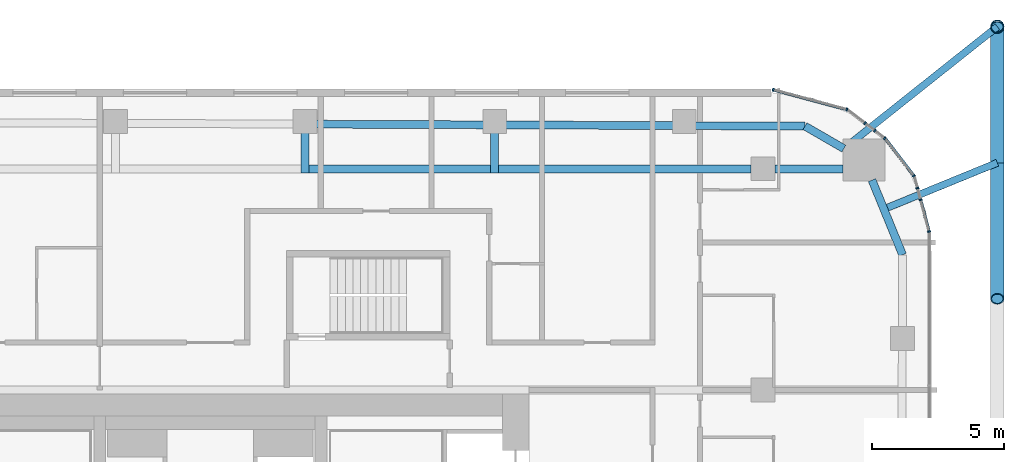
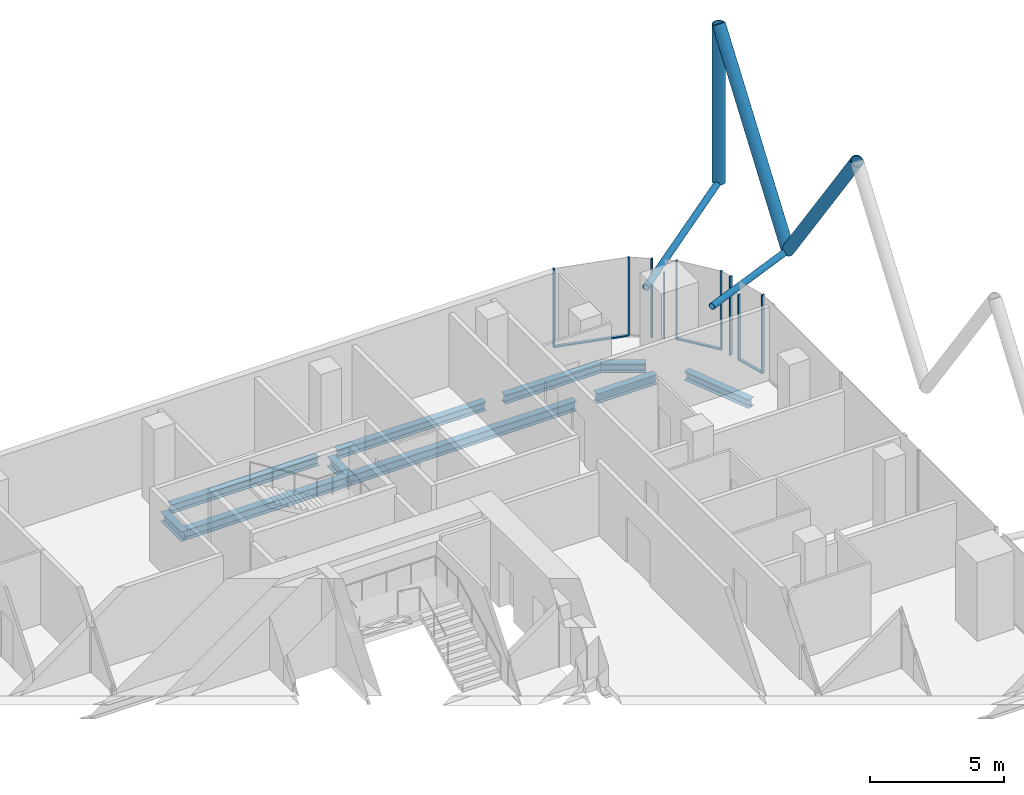
# One storey, part 14 of 36: 17 members, 10 beams, 8 elements without a shape of their own.
"""IFC4 building model written with IfcOpenShell, lengths in metres."""

from ifc_helpers import new_model, si_unit, direction, frame, origin, origin_2d, place, context, subcontext, project, spatial, rectangle, hollow_circle, i_section, extrude, material, layer, layer_set, material_profile, profile_set, type_object, element, aggregate, save


model = new_model("IFC4")

# Units and contexts
model_context = context("Model", 3, precision=1e-05, world=origin(), true_north=direction((0.0, 1.0)))
body_context = subcontext(model_context, "Body", "Model", "MODEL_VIEW")
ifc_project = project(units=[si_unit("LENGTHUNIT", "METRE"), si_unit("AREAUNIT", "SQUARE_METRE"), si_unit("VOLUMEUNIT", "CUBIC_METRE"), si_unit("PLANEANGLEUNIT", "RADIAN"), si_unit("MASSUNIT", "GRAM", prefix="KILO")], contexts=[model_context])

# Site, building, storey
site_placement = place(None, origin())
site = spatial("IfcSite", under=ifc_project, at=site_placement, CompositionType="ELEMENT")
building_placement = place(site_placement, origin())
building = spatial("IfcBuilding", under=site, at=building_placement, Name="Marenta Gate Hotel Tower", CompositionType="ELEMENT")
storey_placement = place(building_placement, frame((0.0, 0.0, 130.10009765625)))
storey = spatial("IfcBuildingStorey", under=building, at=storey_placement, Name="L29", CompositionType="ELEMENT", Elevation=130.10009765625)

# Members
ifc_material_1 = material(Name="Steel S355J2W", Category="steel")
ifc_material_profile_1 = material_profile(ifc_material_1, hollow_circle(Radius=0.25390625, WallThickness=0.02490234375, at=origin_2d()), Name="CHS 508x25")
ifc_profile_set_1 = profile_set([ifc_material_profile_1], Name="Steel S355J2W")
member_type_1 = type_object("IfcMemberType", Name="Diagrid corner post Z2 CHS 508x25", PredefinedType="POST", material=ifc_profile_set_1)
member_1_placement = place(storey_placement, frame((29.89990234375, 30.60009765625, 3.139892578125), z_axis=(0.0, 0.0, 1.0), x_axis=(1.0, 0.0, 0.0)))
element("IfcMember", 1, at=member_1_placement, inside=storey, type_object=member_type_1, Name="L29-DR-1", PredefinedType="POST", context=body_context, shape_type="SweptSolid", body=[
    extrude(hollow_circle(Radius=0.25390625, WallThickness=0.02490234375, at=origin_2d()), origin(), (0.0, 0.0, 1.0), 7.199951171875),
])
ifc_material_2 = material(Name="Steel S355J2W", Category="steel")
ifc_material_profile_2 = material_profile(ifc_material_2, hollow_circle(Radius=0.25390625, WallThickness=0.0400390625, at=origin_2d()), Name="CHS 508x40")
ifc_profile_set_2 = profile_set([ifc_material_profile_2], Name="Steel S355J2W")
member_type_2 = type_object("IfcMemberType", Name="Diagrid diagonal Z2 CHS 508x40", PredefinedType="BRACE", material=ifc_profile_set_2)
member_2_placement = place(storey_placement, frame((29.89990234375, 25.429931640625, 3.139892578125), z_axis=(0.0, 0.583279014058, 0.812271870595), x_axis=(-1.0, 0.0, 0.0)))
element("IfcMember", 2, at=member_2_placement, inside=storey, type_object=member_type_2, Name="L29-DG-1", PredefinedType="BRACE", context=body_context, shape_type="SweptSolid", body=[
    extrude(hollow_circle(Radius=0.25390625, WallThickness=0.0400390625, at=origin_2d()), origin(), (0.0, 0.0, 1.0), 8.864013671875),
])
member_3_placement = place(storey_placement, frame((29.89990234375, 25.429931640625, 3.139892578125), z_axis=(0.0, -0.583260841117, 0.812284919975), x_axis=(1.0, 0.0, 0.0)))
element("IfcMember", 3, at=member_3_placement, inside=storey, type_object=member_type_2, Name="L29-DG-2", PredefinedType="BRACE", context=body_context, shape_type="SweptSolid", body=[
    extrude(hollow_circle(Radius=0.25390625, WallThickness=0.0400390625, at=origin_2d()), origin(), (0.0, 0.0, 1.0), 8.86376953125),
])

# Beams
ifc_material_3 = material(Name="Steel S355", Category="steel")
ifc_material_profile_3 = material_profile(ifc_material_3, i_section(OverallWidth=0.300048828125, OverallDepth=0.39990234375, WebThickness=0.013427734375, FlangeThickness=0.02392578125, FilletRadius=0.027099609375, at=origin_2d()), Name="HEB 400")
ifc_profile_set_3 = profile_set([ifc_material_profile_3], Name="Steel S355")
beam_type_1 = type_object("IfcBeamType", Name="Edge beam HEB 400", PredefinedType="SPANDREL", material=ifc_profile_set_3)
beam_1_placement = place(storey_placement, frame((4.011474609375, 26.89697265625, -0.460205078125), z_axis=(0.999991780119, -0.004054589324, 0.0), x_axis=(0.004054589324, 0.999991780119, 0.0)))
element("IfcBeam", 4, at=beam_1_placement, inside=storey, type_object=beam_type_1, Name="L29-EB-17", PredefinedType="SPANDREL", context=body_context, shape_type="SweptSolid", body=[
    extrude(i_section(OverallWidth=0.300048828125, OverallDepth=0.39990234375, WebThickness=0.013427734375, FlangeThickness=0.02392578125, FilletRadius=0.027099609375, at=origin_2d()), origin(), (0.0, 0.0, 1.0), 6.382568359375),
])
beam_2_placement = place(storey_placement, frame((11.214111328125, 26.86767578125, -0.460205078125), z_axis=(0.999991780748, -0.00405443424, 0.0), x_axis=(0.00405443424, 0.999991780748, 0.0)))
element("IfcBeam", 5, at=beam_2_placement, inside=storey, type_object=beam_type_1, Name="L29-EB-18", PredefinedType="SPANDREL", context=body_context, shape_type="SweptSolid", body=[
    extrude(i_section(OverallWidth=0.300048828125, OverallDepth=0.39990234375, WebThickness=0.013427734375, FlangeThickness=0.02392578125, FilletRadius=0.027099609375, at=origin_2d()), origin(), (0.0, 0.0, 1.0), 6.3828125),
])
beam_3_placement = place(storey_placement, frame((18.4169921875, 26.83837890625, -0.460205078125), z_axis=(0.999991621459, -0.004093532953, 0.0), x_axis=(0.004093532953, 0.999991621459, 0.0)))
element("IfcBeam", 6, at=beam_3_placement, inside=storey, type_object=beam_type_1, Name="L29-EB-19", PredefinedType="SPANDREL", context=body_context, shape_type="SweptSolid", body=[
    extrude(i_section(OverallWidth=0.300048828125, OverallDepth=0.39990234375, WebThickness=0.013427734375, FlangeThickness=0.02392578125, FilletRadius=0.027099609375, at=origin_2d()), origin(), (0.0, 0.0, 1.0), 4.1748046875),
])
beam_4_placement = place(storey_placement, frame((22.591796875, 26.8212890625, -0.460205078125), z_axis=(0.866016478054, -0.500015459501, 0.0), x_axis=(0.500015459501, 0.866016478054, 0.0)))
element("IfcBeam", 7, at=beam_4_placement, inside=storey, type_object=beam_type_1, Name="L29-EB-20", PredefinedType="SPANDREL", context=body_context, shape_type="SweptSolid", body=[
    extrude(i_section(OverallWidth=0.300048828125, OverallDepth=0.39990234375, WebThickness=0.013427734375, FlangeThickness=0.02392578125, FilletRadius=0.027099609375, at=origin_2d()), origin(), (0.0, 0.0, 1.0), 1.70703125),
])
beam_5_placement = place(storey_placement, frame((25.138916015625, 24.7724609375, -0.460205078125), z_axis=(0.378682450416, -0.925526661824, 0.0), x_axis=(0.925526661824, 0.378682450416, 0.0)))
element("IfcBeam", 8, at=beam_5_placement, inside=storey, type_object=beam_type_1, Name="L29-EB-21", PredefinedType="SPANDREL", context=body_context, shape_type="SweptSolid", body=[
    extrude(i_section(OverallWidth=0.300048828125, OverallDepth=0.39990234375, WebThickness=0.013427734375, FlangeThickness=0.02392578125, FilletRadius=0.027099609375, at=origin_2d()), origin(), (0.0, 0.0, 1.0), 3.066162109375),
])

# Members
ifc_material_4 = material(Name="Steel S355J2W", Category="steel")
ifc_material_profile_4 = material_profile(ifc_material_4, hollow_circle(Radius=0.136474609375, WallThickness=0.012451171875, at=origin_2d()), Name="CHS 273x12.5")
ifc_profile_set_4 = profile_set([ifc_material_profile_4], Name="Steel S355J2W")
member_type_3 = type_object("IfcMemberType", Name="Floor tie CHS 273x12.5", PredefinedType="STRUT", material=ifc_profile_set_4)
member_4_placement = place(storey_placement, frame((29.89990234375, 30.60009765625, 3.139892578125), z_axis=(-0.782942525187, -0.622094046149, 0.0), x_axis=(0.622094046149, -0.782942525187, 0.0)))
element("IfcMember", 9, at=member_4_placement, inside=storey, type_object=member_type_3, Name="L29-DR-7", PredefinedType="STRUT", context=body_context, shape_type="SweptSolid", body=[
    extrude(hollow_circle(Radius=0.136474609375, WallThickness=0.012451171875, at=origin_2d()), origin(), (0.0, 0.0, 1.0), 7.43896484375),
])
member_5_placement = place(storey_placement, frame((29.89990234375, 25.429931640625, 3.139892578125), z_axis=(-0.925554485394, -0.378614440516, 0.0), x_axis=(0.378614440516, -0.925554485394, 0.0)))
element("IfcMember", 10, at=member_5_placement, inside=storey, type_object=member_type_3, Name="L29-DR-8", PredefinedType="STRUT", context=body_context, shape_type="SweptSolid", body=[
    extrude(hollow_circle(Radius=0.136474609375, WallThickness=0.012451171875, at=origin_2d()), origin(), (0.0, 0.0, 1.0), 4.6484375),
])

# Beams
ifc_material_5 = material(Name="Steel S355", Category="steel")
ifc_material_profile_5 = material_profile(ifc_material_5, i_section(OverallWidth=0.300048828125, OverallDepth=0.449951171875, WebThickness=0.013916015625, FlangeThickness=0.02587890625, FilletRadius=0.027099609375, at=origin_2d()), Name="HEB 450")
ifc_profile_set_5 = profile_set([ifc_material_profile_5], Name="Steel S355")
beam_type_2 = type_object("IfcBeamType", Name="Girder HEB 450", PredefinedType="BEAM", material=ifc_profile_set_5)
beam_6_placement = place(storey_placement, frame((3.75146484375, 25.199951171875, -0.485107421875), z_axis=(1.0, 0.0, 0.0), x_axis=(0.0, 1.0, 0.0)))
element("IfcBeam", 11, at=beam_6_placement, inside=storey, type_object=beam_type_2, Name="L29-GD-33", PredefinedType="BEAM", context=body_context, shape_type="SweptSolid", body=[
    extrude(i_section(OverallWidth=0.300048828125, OverallDepth=0.449951171875, WebThickness=0.013916015625, FlangeThickness=0.02587890625, FilletRadius=0.027099609375, at=origin_2d()), origin(), (0.0, 0.0, 1.0), 6.902587890625),
])
beam_7_placement = place(storey_placement, frame((10.9541015625, 25.199951171875, -0.485107421875), z_axis=(1.0, 0.0, 0.0), x_axis=(0.0, 1.0, 0.0)))
element("IfcBeam", 12, at=beam_7_placement, inside=storey, type_object=beam_type_2, Name="L29-GD-34", PredefinedType="BEAM", context=body_context, shape_type="SweptSolid", body=[
    extrude(i_section(OverallWidth=0.300048828125, OverallDepth=0.449951171875, WebThickness=0.013916015625, FlangeThickness=0.02587890625, FilletRadius=0.027099609375, at=origin_2d()), origin(), (0.0, 0.0, 1.0), 9.595947265625),
])
beam_8_placement = place(storey_placement, frame((21.449951171875, 25.199951171875, -0.485107421875), z_axis=(1.0, 0.0, 0.0), x_axis=(0.0, 1.0, 0.0)))
element("IfcBeam", 13, at=beam_8_placement, inside=storey, type_object=beam_type_2, Name="L29-GD-35", PredefinedType="BEAM", context=body_context, shape_type="SweptSolid", body=[
    extrude(i_section(OverallWidth=0.300048828125, OverallDepth=0.449951171875, WebThickness=0.013916015625, FlangeThickness=0.02587890625, FilletRadius=0.027099609375, at=origin_2d()), origin(), (0.0, 0.0, 1.0), 2.58544921875),
])
ifc_material_6 = material(Name="Steel S355", Category="steel")
ifc_material_profile_6 = material_profile(ifc_material_6, i_section(OverallWidth=0.300048828125, OverallDepth=0.449951171875, WebThickness=0.013916015625, FlangeThickness=0.02587890625, FilletRadius=0.027099609375, at=origin_2d()), Name="HEB 450")
ifc_profile_set_6 = profile_set([ifc_material_profile_6], Name="Steel S355")
beam_type_3 = type_object("IfcBeamType", Name="Girder bracket HEB 450", PredefinedType="BEAM", material=ifc_profile_set_6)
for number, where, z_axis, x_axis, name in (
    (14, (3.601318359375, 25.050048828125, -0.485107421875), (0.0, 1.0, 0.0), (-1.0, 0.0, 0.0), "L29-GS-3"),
    (15, (10.80419921875, 25.050048828125, -0.485107421875), (0.0, 1.0, 0.0), (-1.0, 0.0, 0.0), "L29-GS-4"),
):
    element("IfcBeam", number, at=place(storey_placement, frame(where, z_axis=z_axis, x_axis=x_axis)), inside=storey, type_object=beam_type_3, Name=name, PredefinedType="BEAM", context=body_context, shape_type="SweptSolid", body=[
        extrude(i_section(OverallWidth=0.300048828125, OverallDepth=0.449951171875, WebThickness=0.013916015625, FlangeThickness=0.02587890625, FilletRadius=0.027099609375, at=origin_2d()), origin(), (0.0, 0.0, 1.0), 1.5400390625),
    ])

# Curtain wall, member
ifc_material_7 = material(Name="Tinted insulated glass in bronze anodised frame", Category="glass")
ifc_layer = layer(ifc_material_7, 0.1201171875)
ifc_layer_set = layer_set([ifc_layer], Name="Tinted insulated glass in bronze anodised frame")
curtain_wall_type = type_object("IfcCurtainWallType", Name="Tower unitised curtain wall CW1", PredefinedType="NOTDEFINED", material=ifc_layer_set)
curtain_wall_1_placement = place(storey_placement, origin())
curtain_wall_1 = element("IfcCurtainWall", 16, at=curtain_wall_1_placement, inside=storey, type_object=curtain_wall_type, Name="CW1 run G36", PredefinedType="NOTDEFINED")
ifc_material_8 = material(Name="Bronze anodised aluminium", Category="aluminium")
ifc_material_profile_7 = material_profile(ifc_material_8, rectangle(XDim=0.1201171875, YDim=0.06005859375, at=origin_2d()), Name="Mullion CW1 60x120 bronze anodised aluminium")
ifc_profile_set_7 = profile_set([ifc_material_profile_7], Name="Bronze anodised aluminium")
member_type_4 = type_object("IfcMemberType", Name="Mullion CW1 60x120 bronze anodised aluminium", PredefinedType="MULLION", material=ifc_profile_set_7)
member_6_placement = place(storey_placement, frame((27.30615234375, 22.82080078125, 0.0), z_axis=(0.0, 0.0, 1.0), x_axis=(-0.965926558196, -0.258816313572, 0.0)))
member_6 = element("IfcMember", 17, at=member_6_placement, type_object=member_type_4, Name="CW1 mullion 1", PredefinedType="MULLION", context=body_context, shape_type="SweptSolid", body=[
    extrude(rectangle(XDim=0.1201171875, YDim=0.06005859375, at=origin_2d()), origin(), (0.0, 0.0, 1.0), 3.599853515625),
])

curtain_wall_2_placement = place(storey_placement, origin())
curtain_wall_2 = element("IfcCurtainWall", 18, at=curtain_wall_2_placement, inside=storey, type_object=curtain_wall_type, Name="CW1 run G37", PredefinedType="NOTDEFINED")
member_7_placement = place(storey_placement, frame((26.983642578125, 24.0244140625, 0.0), z_axis=(0.0, 0.0, 1.0), x_axis=(-0.965921659399, -0.258834595648, 0.0)))
member_7 = element("IfcMember", 19, at=member_7_placement, type_object=member_type_4, Name="CW1 mullion 1", PredefinedType="MULLION", context=body_context, shape_type="SweptSolid", body=[
    extrude(rectangle(XDim=0.1201171875, YDim=0.06005859375, at=origin_2d()), origin(), (0.0, 0.0, 1.0), 3.00048828125),
])
aggregate(curtain_wall_2, [member_7])

curtain_wall_3_placement = place(storey_placement, origin())
curtain_wall_3 = element("IfcCurtainWall", 20, at=curtain_wall_3_placement, inside=storey, type_object=curtain_wall_type, Name="CW1 run G38", PredefinedType="NOTDEFINED")
member_8_placement = place(storey_placement, frame((26.865478515625, 24.465576171875, 0.0), z_axis=(0.0, 0.0, 1.0), x_axis=(-0.965923527755, -0.258827623196, 0.0)))
member_8 = element("IfcMember", 21, at=member_8_placement, type_object=member_type_4, Name="CW1 mullion 1", PredefinedType="MULLION", context=body_context, shape_type="SweptSolid", body=[
    extrude(rectangle(XDim=0.1201171875, YDim=0.06005859375, at=origin_2d()), origin(), (0.0, 0.0, 1.0), 3.599853515625),
])
aggregate(curtain_wall_3, [member_8])

curtain_wall_4_placement = place(storey_placement, origin())
curtain_wall_4 = element("IfcCurtainWall", 22, at=curtain_wall_4_placement, inside=storey, type_object=curtain_wall_type, Name="CW1 run G39", PredefinedType="NOTDEFINED")
member_9_placement = place(storey_placement, frame((26.727783203125, 24.93505859375, 0.0), z_axis=(0.0, 0.0, 1.0), x_axis=(-0.793326722289, -0.608796116694, 0.0)))
member_9 = element("IfcMember", 23, at=member_9_placement, type_object=member_type_4, Name="CW1 mullion 1", PredefinedType="MULLION", context=body_context, shape_type="SweptSolid", body=[
    extrude(rectangle(XDim=0.1201171875, YDim=0.06005859375, at=origin_2d()), origin(), (0.0, 0.0, 1.0), 3.599853515625),
])

curtain_wall_5_placement = place(storey_placement, origin())
curtain_wall_5 = element("IfcCurtainWall", 24, at=curtain_wall_5_placement, inside=storey, type_object=curtain_wall_type, Name="CW1 run G40", PredefinedType="NOTDEFINED")
member_10_placement = place(storey_placement, frame((25.62158203125, 26.36376953125, 0.0), z_axis=(0.0, 0.0, 1.0), x_axis=(-0.608778467767, -0.793340265701, 0.0)))
member_10 = element("IfcMember", 25, at=member_10_placement, type_object=member_type_4, Name="CW1 mullion 1", PredefinedType="MULLION", context=body_context, shape_type="SweptSolid", body=[
    extrude(rectangle(XDim=0.1201171875, YDim=0.06005859375, at=origin_2d()), origin(), (0.0, 0.0, 1.0), 3.599853515625),
])
aggregate(curtain_wall_5, [member_10])

curtain_wall_6_placement = place(storey_placement, origin())
curtain_wall_6 = element("IfcCurtainWall", 26, at=curtain_wall_6_placement, inside=storey, type_object=curtain_wall_type, Name="CW1 run G41", PredefinedType="NOTDEFINED")
member_11_placement = place(storey_placement, frame((25.247314453125, 26.651123046875, 0.0), z_axis=(0.0, 0.0, 1.0), x_axis=(-0.608737274752, -0.79337187392, 0.0)))
member_11 = element("IfcMember", 27, at=member_11_placement, type_object=member_type_4, Name="CW1 mullion 1", PredefinedType="MULLION", context=body_context, shape_type="SweptSolid", body=[
    extrude(rectangle(XDim=0.1201171875, YDim=0.06005859375, at=origin_2d()), origin(), (0.0, 0.0, 1.0), 3.00048828125),
])
aggregate(curtain_wall_6, [member_11])

curtain_wall_7_placement = place(storey_placement, origin())
curtain_wall_7 = element("IfcCurtainWall", 28, at=curtain_wall_7_placement, inside=storey, type_object=curtain_wall_type, Name="CW1 run G42", PredefinedType="NOTDEFINED")
member_12_placement = place(storey_placement, frame((24.876953125, 26.935302734375, 0.0), z_axis=(0.0, 0.0, 1.0), x_axis=(-0.608837310591, -0.793295108539, 0.0)))
member_12 = element("IfcMember", 29, at=member_12_placement, type_object=member_type_4, Name="CW1 mullion 1", PredefinedType="MULLION", context=body_context, shape_type="SweptSolid", body=[
    extrude(rectangle(XDim=0.1201171875, YDim=0.06005859375, at=origin_2d()), origin(), (0.0, 0.0, 1.0), 3.599853515625),
])
aggregate(curtain_wall_7, [member_12])

# Curtain wall, members
curtain_wall_8_placement = place(storey_placement, origin())
curtain_wall_8 = element("IfcCurtainWall", 30, at=curtain_wall_8_placement, inside=storey, type_object=curtain_wall_type, Name="CW1 run G43", PredefinedType="NOTDEFINED")
member_13_placement = place(storey_placement, frame((24.182373046875, 27.453857421875, 0.0), z_axis=(0.0, 0.0, 1.0), x_axis=(-0.258805989975, -0.965929324305, 0.0)))
member_13 = element("IfcMember", 31, at=member_13_placement, type_object=member_type_4, Name="CW1 mullion 1", PredefinedType="MULLION", context=body_context, shape_type="SweptSolid", body=[
    extrude(rectangle(XDim=0.1201171875, YDim=0.06005859375, at=origin_2d()), origin(), (0.0, 0.0, 1.0), 3.599853515625),
])
member_14_placement = place(storey_placement, frame((21.385498046875, 28.203125, 0.0), z_axis=(0.0, 0.0, 1.0), x_axis=(-0.258805989975, -0.965929324305, 0.0)))
member_14 = element("IfcMember", 32, at=member_14_placement, type_object=member_type_4, Name="CW1 mullion 2", PredefinedType="MULLION", context=body_context, shape_type="SweptSolid", body=[
    extrude(rectangle(XDim=0.1201171875, YDim=0.06005859375, at=origin_2d()), origin(), (0.0, 0.0, 1.0), 3.599853515625),
])

# Member
ifc_material_9 = material(Name="Bronze anodised aluminium", Category="aluminium")
ifc_material_profile_8 = material_profile(ifc_material_9, rectangle(XDim=0.1201171875, YDim=0.06005859375, at=origin_2d()), Name="Transom CW1 60x120 bronze anodised aluminium")
ifc_profile_set_8 = profile_set([ifc_material_profile_8], Name="Bronze anodised aluminium")
member_type_5 = type_object("IfcMemberType", Name="Transom CW1 60x120 bronze anodised aluminium", PredefinedType="USERDEFINED", material=ifc_profile_set_8)
member_15_placement = place(storey_placement, frame((27.298583984375, 22.849853515625, 0.02978515625), z_axis=(-0.2589178316, 0.965899351112, 0.0), x_axis=(-0.965899351112, -0.2589178316, 0.0)))
member_15 = element("IfcMember", 33, at=member_15_placement, type_object=member_type_5, Name="CW1 transom 1.1", ObjectType="TRANSOM", PredefinedType="USERDEFINED", context=body_context, shape_type="SweptSolid", body=[
    extrude(rectangle(XDim=0.1201171875, YDim=0.06005859375, at=origin_2d()), origin(), (0.0, 0.0, 1.0), 1.186279296875),
])

aggregate(curtain_wall_1, [member_6, member_15])

member_16_placement = place(storey_placement, frame((26.70947265625, 24.958984375, 0.02978515625), z_axis=(-0.608792205599, 0.793329723634, 0.0), x_axis=(-0.793329723634, -0.608792205599, 0.0)))
member_16 = element("IfcMember", 34, at=member_16_placement, type_object=member_type_5, Name="CW1 transom 1.1", ObjectType="TRANSOM", PredefinedType="USERDEFINED", context=body_context, shape_type="SweptSolid", body=[
    extrude(rectangle(XDim=0.1201171875, YDim=0.06005859375, at=origin_2d()), origin(), (0.0, 0.0, 1.0), 1.74755859375),
])

aggregate(curtain_wall_4, [member_9, member_16])

member_17_placement = place(storey_placement, frame((24.1533203125, 27.461669921875, 0.02978515625), z_axis=(-0.965922684272, 0.258830770986, 0.0), x_axis=(-0.258830770986, -0.965922684272, 0.0)))
member_17 = element("IfcMember", 35, at=member_17_placement, type_object=member_type_5, Name="CW1 transom 1.1", ObjectType="TRANSOM", PredefinedType="USERDEFINED", context=body_context, shape_type="SweptSolid", body=[
    extrude(rectangle(XDim=0.1201171875, YDim=0.06005859375, at=origin_2d()), origin(), (0.0, 0.0, 1.0), 2.83544921875),
])

aggregate(curtain_wall_8, [member_13, member_14, member_17])

save(model, "model.ifc")
